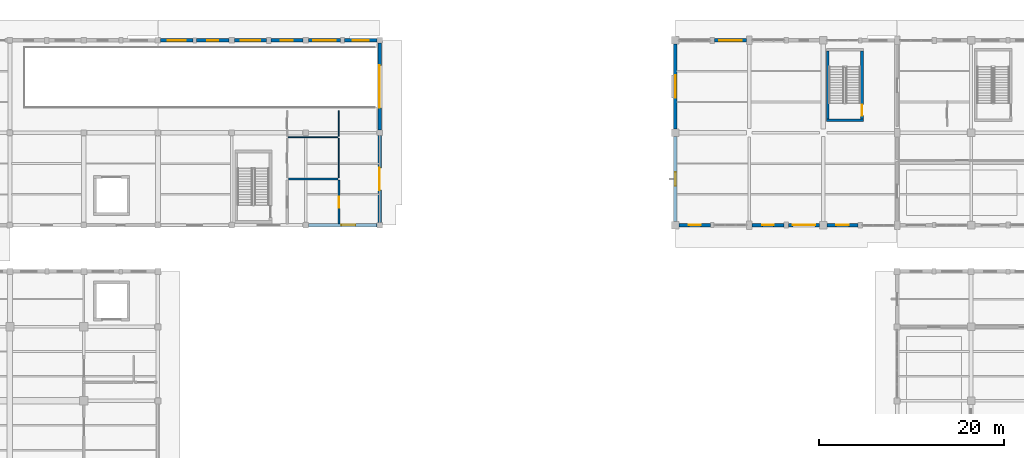
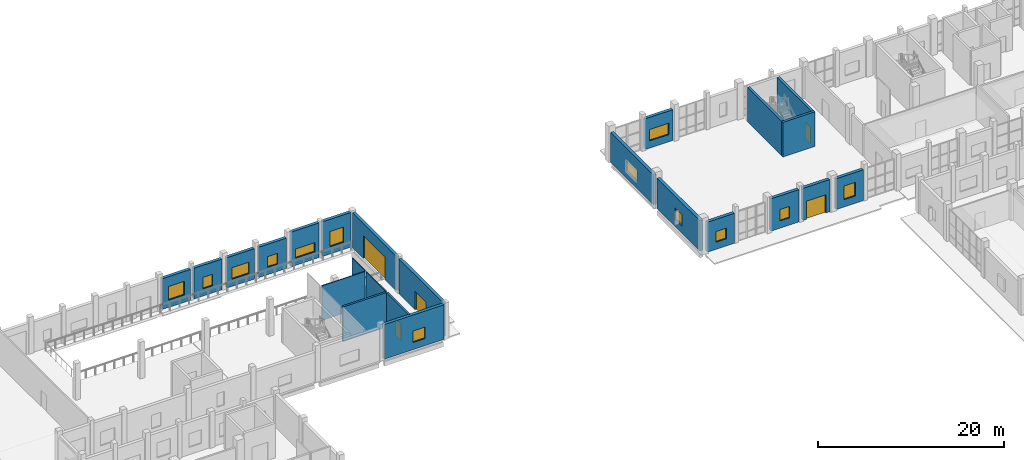
# One storey, part 126 of 156: 24 walls, 13 windows, 5 doors, 18 openings.
"""IFC4 building model written with IfcOpenShell, lengths in metres."""

from ifc_helpers import new_model, si_unit, direction, frame, frame_2d, origin, place, context, subcontext, project, spatial, rectangle, extrude, material, layer, layer_set, type_object, element, fill, save


model = new_model("IFC4")

# Units and contexts
model_context = context("Model", 3, precision=1e-05, world=origin(), true_north=direction((0.0, 1.0)))
body_context = subcontext(model_context, "Body", "Model", "MODEL_VIEW")
ifc_project = project(units=[si_unit("LENGTHUNIT", "METRE"), si_unit("AREAUNIT", "SQUARE_METRE"), si_unit("VOLUMEUNIT", "CUBIC_METRE"), si_unit("PLANEANGLEUNIT", "RADIAN"), si_unit("MASSUNIT", "GRAM", prefix="KILO")], contexts=[model_context])

# Site, building, storey
site_placement = place(None, origin())
site = spatial("IfcSite", under=ifc_project, at=site_placement, CompositionType="ELEMENT")
building_placement = place(site_placement, origin())
building = spatial("IfcBuilding", under=site, at=building_placement, Name="Luwemba Playhouse", CompositionType="ELEMENT")
storey_placement = place(building_placement, origin())
storey = spatial("IfcBuildingStorey", under=building, at=storey_placement, Name="L00", CompositionType="ELEMENT", Elevation=0.0)

# Wall, opening, window
ifc_material_1 = material(Name="Clay facing brick obra vista masonry", Category="masonry")
ifc_layer_1 = layer(ifc_material_1, 0.3798828125)
ifc_layer_set_1 = layer_set([ifc_layer_1], Name="Clay facing brick obra vista masonry")
wall_type_1 = type_object("IfcWallType", Name="WAL-BRK-380", PredefinedType="SOLIDWALL", material=ifc_layer_set_1)
wall_1_placement = place(storey_placement, frame((52.300048828125, 115.0, 0.0), z_axis=(0.0, 0.0, 1.0), x_axis=(1.0, 0.0, 0.0)))
wall_1 = element("IfcWall", 1, at=wall_1_placement, inside=storey, type_object=wall_type_1, Name="L00 V6W exterior facade wall 0094", PredefinedType="SOLIDWALL", context=body_context, shape_type="SweptSolid", body=[
    extrude(rectangle(XDim=3.5, YDim=0.3798828125, at=frame_2d((1.75, 0.0))), origin(), (0.0, 0.0, 1.0), 4.034912109375),
])
opening_1_placement = place(wall_1_placement, frame((0.75, 0.0, 0.949951171875)))
opening_1 = element("IfcOpeningElement", 2, at=opening_1_placement, cuts=wall_1, Name="Opening WN-05", PredefinedType="OPENING", context=body_context, shape_type="SweptSolid", body=[
    extrude(rectangle(XDim=2.0, YDim=1.800048828125, at=frame_2d((1.0, 0.89990234375))), frame((0.0, 0.199951171875, 0.0), z_axis=(0.0, -1.0, 0.0), x_axis=(1.0, 0.0, 0.0)), (0.0, 0.0, 1.0), 0.39990234375),
])
ifc_material_2 = material(Name="Solar-control double glazing in aluminium frame", Category="aluminium")
window_type_1 = type_object("IfcWindowType", Name="WIN-WN-05", PartitioningType="TRIPLE_PANEL_VERTICAL", PredefinedType="WINDOW", material=ifc_material_2)
window_1_placement = place(opening_1_placement, origin())
window_1 = element("IfcWindow", 3, at=window_1_placement, inside=storey, type_object=window_type_1, Name="L00 V6W scheduled window 0055", OverallHeight=1.800048828125, OverallWidth=2.0, PartitioningType="TRIPLE_PANEL_VERTICAL", PredefinedType="WINDOW", context=body_context, shape_type="SweptSolid", body=[
    extrude(rectangle(XDim=2.0, YDim=1.800048828125, at=frame_2d((1.0, 0.89990234375))), frame((0.0, 0.030029296875, 0.0), z_axis=(0.0, -1.0, 0.0), x_axis=(1.0, 0.0, 0.0)), (0.0, 0.0, 1.0), 0.06005859375),
])
fill(opening_1, window_1)

wall_2_placement = place(storey_placement, frame((56.199951171875, 115.0, 0.0), z_axis=(0.0, 0.0, 1.0), x_axis=(1.0, 0.0, 0.0)))
wall_2 = element("IfcWall", 4, at=wall_2_placement, inside=storey, type_object=wall_type_1, Name="L00 V6W exterior facade wall 0095", PredefinedType="SOLIDWALL", context=body_context, shape_type="SweptSolid", body=[
    extrude(rectangle(XDim=3.5, YDim=0.3798828125, at=frame_2d((1.75, 0.0))), origin(), (0.0, 0.0, 1.0), 4.034912109375),
])
opening_2_placement = place(wall_2_placement, frame((1.14990234375, 0.0, 0.949951171875)))
opening_2 = element("IfcOpeningElement", 5, at=opening_2_placement, cuts=wall_2, Name="Opening WN-08", PredefinedType="OPENING", context=body_context, shape_type="SweptSolid", body=[
    extrude(rectangle(XDim=1.199951171875, YDim=1.5, at=frame_2d((0.60009765625, 0.75))), frame((0.0, 0.199951171875, 0.0), z_axis=(0.0, -1.0, 0.0), x_axis=(1.0, 0.0, 0.0)), (0.0, 0.0, 1.0), 0.39990234375),
])
window_type_2 = type_object("IfcWindowType", Name="WIN-WN-08", PartitioningType="SINGLE_PANEL", PredefinedType="WINDOW", material=ifc_material_2)
window_2_placement = place(opening_2_placement, origin())
window_2 = element("IfcWindow", 6, at=window_2_placement, inside=storey, type_object=window_type_2, Name="L00 V6W scheduled window 0056", OverallHeight=1.5, OverallWidth=1.199951171875, PartitioningType="SINGLE_PANEL", PredefinedType="WINDOW", context=body_context, shape_type="SweptSolid", body=[
    extrude(rectangle(XDim=1.199951171875, YDim=1.5, at=frame_2d((0.60009765625, 0.75))), frame((0.0, 0.030029296875, 0.0), z_axis=(0.0, -1.0, 0.0), x_axis=(1.0, 0.0, 0.0)), (0.0, 0.0, 1.0), 0.06005859375),
])
fill(opening_2, window_2)

wall_3_placement = place(storey_placement, frame((60.300048828125, 115.0, 0.0), z_axis=(0.0, 0.0, 1.0), x_axis=(1.0, 0.0, 0.0)))
wall_3 = element("IfcWall", 7, at=wall_3_placement, inside=storey, type_object=wall_type_1, Name="L00 V6W exterior facade wall 0096", PredefinedType="SOLIDWALL", context=body_context, shape_type="SweptSolid", body=[
    extrude(rectangle(XDim=3.449951171875, YDim=0.3798828125, at=frame_2d((1.72509765625, 0.0))), origin(), (0.0, 0.0, 1.0), 3.985107421875),
])
opening_3_placement = place(wall_3_placement, frame((0.675048828125, 0.0, 0.949951171875)))
opening_3 = element("IfcOpeningElement", 8, at=opening_3_placement, cuts=wall_3, Name="Opening WN-11", PredefinedType="OPENING", context=body_context, shape_type="SweptSolid", body=[
    extrude(rectangle(XDim=2.10009765625, YDim=1.5, at=frame_2d((1.050048828125, 0.75))), frame((0.0, 0.199951171875, 0.0), z_axis=(0.0, -1.0, 0.0), x_axis=(1.0, 0.0, 0.0)), (0.0, 0.0, 1.0), 0.39990234375),
])
window_type_3 = type_object("IfcWindowType", Name="WIN-WN-11", PartitioningType="TRIPLE_PANEL_VERTICAL", PredefinedType="WINDOW", material=ifc_material_2)
window_3_placement = place(opening_3_placement, origin())
window_3 = element("IfcWindow", 9, at=window_3_placement, inside=storey, type_object=window_type_3, Name="L00 V6W scheduled window 0057", OverallHeight=1.5, OverallWidth=2.10009765625, PartitioningType="TRIPLE_PANEL_VERTICAL", PredefinedType="WINDOW", context=body_context, shape_type="SweptSolid", body=[
    extrude(rectangle(XDim=2.10009765625, YDim=1.5, at=frame_2d((1.050048828125, 0.75))), frame((0.0, 0.030029296875, 0.0), z_axis=(0.0, -1.0, 0.0), x_axis=(1.0, 0.0, 0.0)), (0.0, 0.0, 1.0), 0.06005859375),
])
fill(opening_3, window_3)

wall_4_placement = place(storey_placement, frame((64.25, 115.0, 0.0), z_axis=(0.0, 0.0, 1.0), x_axis=(1.0, 0.0, 0.0)))
wall_4 = element("IfcWall", 10, at=wall_4_placement, inside=storey, type_object=wall_type_1, Name="L00 V6W exterior facade wall 0097", PredefinedType="SOLIDWALL", context=body_context, shape_type="SweptSolid", body=[
    extrude(rectangle(XDim=3.449951171875, YDim=0.3798828125, at=frame_2d((1.72509765625, 0.0))), origin(), (0.0, 0.0, 1.0), 3.985107421875),
])
opening_4_placement = place(wall_4_placement, frame((1.074951171875, 0.0, 0.949951171875)))
opening_4 = element("IfcOpeningElement", 11, at=opening_4_placement, cuts=wall_4, Name="Opening WN-14", PredefinedType="OPENING", context=body_context, shape_type="SweptSolid", body=[
    extrude(rectangle(XDim=1.300048828125, YDim=1.39990234375, at=frame_2d((0.64990234375, 0.699951171875))), frame((0.0, 0.199951171875, 0.0), z_axis=(0.0, -1.0, 0.0), x_axis=(1.0, 0.0, 0.0)), (0.0, 0.0, 1.0), 0.39990234375),
])
window_type_4 = type_object("IfcWindowType", Name="WIN-WN-14", PartitioningType="SINGLE_PANEL", PredefinedType="WINDOW", material=ifc_material_2)
window_4_placement = place(opening_4_placement, origin())
window_4 = element("IfcWindow", 12, at=window_4_placement, inside=storey, type_object=window_type_4, Name="L00 V6W scheduled window 0058", OverallHeight=1.39990234375, OverallWidth=1.300048828125, PartitioningType="SINGLE_PANEL", PredefinedType="WINDOW", context=body_context, shape_type="SweptSolid", body=[
    extrude(rectangle(XDim=1.300048828125, YDim=1.39990234375, at=frame_2d((0.64990234375, 0.699951171875))), frame((0.0, 0.030029296875, 0.0), z_axis=(0.0, -1.0, 0.0), x_axis=(1.0, 0.0, 0.0)), (0.0, 0.0, 1.0), 0.06005859375),
])
fill(opening_4, window_4)

wall_5_placement = place(storey_placement, frame((68.300048828125, 115.0, 0.0), z_axis=(0.0, 0.0, 1.0), x_axis=(1.0, 0.0, 0.0)))
wall_5 = element("IfcWall", 13, at=wall_5_placement, inside=storey, type_object=wall_type_1, Name="L00 V6W exterior facade wall 0098", PredefinedType="SOLIDWALL", context=body_context, shape_type="SweptSolid", body=[
    extrude(rectangle(XDim=3.474853515625, YDim=0.3798828125, at=frame_2d((1.7373046875, 0.0))), origin(), (0.0, 0.0, 1.0), 4.550048828125),
])
opening_5_placement = place(wall_5_placement, frame((0.53759765625, 0.0, 0.949951171875)))
opening_5 = element("IfcOpeningElement", 14, at=opening_5_placement, cuts=wall_5, Name="Opening WN-17", PredefinedType="OPENING", context=body_context, shape_type="SweptSolid", body=[
    extrude(rectangle(XDim=2.39990234375, YDim=1.199951171875, at=frame_2d((1.199951171875, 0.60009765625))), frame((0.0, 0.199951171875, 0.0), z_axis=(0.0, -1.0, 0.0), x_axis=(1.0, 0.0, 0.0)), (0.0, 0.0, 1.0), 0.39990234375),
])
window_type_5 = type_object("IfcWindowType", Name="WIN-WN-17", PartitioningType="TRIPLE_PANEL_HORIZONTAL", PredefinedType="WINDOW", material=ifc_material_2)
window_5_placement = place(opening_5_placement, origin())
window_5 = element("IfcWindow", 15, at=window_5_placement, inside=storey, type_object=window_type_5, Name="L00 V6W scheduled window 0059", OverallHeight=1.199951171875, OverallWidth=2.39990234375, PartitioningType="TRIPLE_PANEL_HORIZONTAL", PredefinedType="WINDOW", context=body_context, shape_type="SweptSolid", body=[
    extrude(rectangle(XDim=2.39990234375, YDim=1.199951171875, at=frame_2d((1.199951171875, 0.60009765625))), frame((0.0, 0.030029296875, 0.0), z_axis=(0.0, -1.0, 0.0), x_axis=(1.0, 0.0, 0.0)), (0.0, 0.0, 1.0), 0.06005859375),
])
fill(opening_5, window_5)

wall_6_placement = place(storey_placement, frame((72.22509765625, 115.0, 0.0), z_axis=(0.0, 0.0, 1.0), x_axis=(1.0, 0.0, 0.0)))
wall_6 = element("IfcWall", 16, at=wall_6_placement, inside=storey, type_object=wall_type_1, Name="L00 V6W exterior facade wall 0099", PredefinedType="SOLIDWALL", context=body_context, shape_type="SweptSolid", body=[
    extrude(rectangle(XDim=3.474853515625, YDim=0.3798828125, at=frame_2d((1.7373046875, 0.0))), origin(), (0.0, 0.0, 1.0), 4.550048828125),
])
opening_6_placement = place(wall_6_placement, frame((0.887451171875, 0.0, 0.949951171875)))
opening_6 = element("IfcOpeningElement", 17, at=opening_6_placement, cuts=wall_6, Name="Opening WN-20", PredefinedType="OPENING", context=body_context, shape_type="SweptSolid", body=[
    extrude(rectangle(XDim=1.699951171875, YDim=2.0, at=frame_2d((0.85009765625, 1.0))), frame((0.0, 0.199951171875, 0.0), z_axis=(0.0, -1.0, 0.0), x_axis=(1.0, 0.0, 0.0)), (0.0, 0.0, 1.0), 0.39990234375),
])
window_type_6 = type_object("IfcWindowType", Name="WIN-WN-20", PartitioningType="DOUBLE_PANEL_VERTICAL", PredefinedType="WINDOW", material=ifc_material_2)
window_6_placement = place(opening_6_placement, origin())
window_6 = element("IfcWindow", 18, at=window_6_placement, inside=storey, type_object=window_type_6, Name="L00 V6W scheduled window 0060", OverallHeight=2.0, OverallWidth=1.699951171875, PartitioningType="DOUBLE_PANEL_VERTICAL", PredefinedType="WINDOW", context=body_context, shape_type="SweptSolid", body=[
    extrude(rectangle(XDim=1.699951171875, YDim=2.0, at=frame_2d((0.85009765625, 1.0))), frame((0.0, 0.030029296875, 0.0), z_axis=(0.0, -1.0, 0.0), x_axis=(1.0, 0.0, 0.0)), (0.0, 0.0, 1.0), 0.06005859375),
])
fill(opening_6, window_6)

# Wall, opening, door
wall_7_placement = place(storey_placement, frame((76.0, 114.699951171875, 0.0), z_axis=(0.0, 0.0, 1.0), x_axis=(0.0, -1.0, 0.0)))
wall_7 = element("IfcWall", 19, at=wall_7_placement, inside=storey, type_object=wall_type_1, Name="L00 V6W exterior facade wall 0100", PredefinedType="SOLIDWALL", context=body_context, shape_type="SweptSolid", body=[
    extrude(rectangle(XDim=9.39990234375, YDim=0.3798828125, at=frame_2d((4.699951171875, 0.0))), origin(), (0.0, 0.0, 1.0), 4.550048828125),
])
opening_7_placement = place(wall_7_placement, frame((2.39990234375, 0.0, 0.0)))
opening_7 = element("IfcOpeningElement", 20, at=opening_7_placement, cuts=wall_7, Name="Opening D-SH2", PredefinedType="OPENING", context=body_context, shape_type="SweptSolid", body=[
    extrude(rectangle(XDim=4.60009765625, YDim=3.0, at=frame_2d((2.300048828125, 1.5))), frame((0.0, 0.199951171875, 0.0), z_axis=(0.0, -1.0, 0.0), x_axis=(1.0, 0.0, 0.0)), (0.0, 0.0, 1.0), 0.39990234375),
])
ifc_material_3 = material(Name="Insulated galvanised steel shutter", Category="steel")
door_type_1 = type_object("IfcDoorType", Name="DR-RAMP-480", OperationType="NOTDEFINED", PredefinedType="DOOR", material=ifc_material_3)
door_1_placement = place(opening_7_placement, origin())
door_1 = element("IfcDoor", 21, at=door_1_placement, inside=storey, type_object=door_type_1, Name="Car park vehicle ramp roller shutter", OperationType="ROLLINGUP", OverallHeight=3.0, OverallWidth=4.60009765625, PredefinedType="DOOR", context=body_context, shape_type="SweptSolid", body=[
    extrude(rectangle(XDim=4.60009765625, YDim=3.0, at=frame_2d((2.300048828125, 1.5))), frame((0.0, 0.02490234375, 0.0), z_axis=(0.0, -1.0, 0.0), x_axis=(1.0, 0.0, 0.0)), (0.0, 0.0, 1.0), 0.050048828125),
])
fill(opening_7, door_1)

wall_8_placement = place(storey_placement, frame((76.0, 104.699951171875, 0.0), z_axis=(0.0, 0.0, 1.0), x_axis=(0.0, -1.0, 0.0)))
wall_8 = element("IfcWall", 22, at=wall_8_placement, inside=storey, type_object=wall_type_1, Name="L00 V6W exterior facade wall 0101", PredefinedType="SOLIDWALL", context=body_context, shape_type="SweptSolid", body=[
    extrude(rectangle(XDim=9.39990234375, YDim=0.3798828125, at=frame_2d((4.699951171875, 0.0))), origin(), (0.0, 0.0, 1.0), 4.550048828125),
])
opening_8_placement = place(wall_8_placement, frame((3.5, 0.0, 0.0)))
opening_8 = element("IfcOpeningElement", 23, at=opening_8_placement, cuts=wall_8, Name="Opening E14", PredefinedType="OPENING", context=body_context, shape_type="SweptSolid", body=[
    extrude(rectangle(XDim=2.39990234375, YDim=2.39990234375, at=frame_2d((1.199951171875, 1.199951171875))), frame((0.0, 0.199951171875, 0.0), z_axis=(0.0, -1.0, 0.0), x_axis=(1.0, 0.0, 0.0)), (0.0, 0.0, 1.0), 0.39990234375),
])
ifc_material_4 = material(Name="Architectural bronze-anodised aluminium and glazed leaf", Category="aluminium")
door_type_2 = type_object("IfcDoorType", Name="DR-EXIT-240", OperationType="NOTDEFINED", PredefinedType="DOOR", material=ifc_material_4)
door_2_placement = place(opening_8_placement, origin())
door_2 = element("IfcDoor", 24, at=door_2_placement, inside=storey, type_object=door_type_2, Name="Stage Door personnel final exit E14", OperationType="DOUBLE_DOOR_SINGLE_SWING", OverallHeight=2.39990234375, OverallWidth=2.39990234375, PredefinedType="DOOR", context=body_context, shape_type="SweptSolid", body=[
    extrude(rectangle(XDim=2.39990234375, YDim=2.39990234375, at=frame_2d((1.199951171875, 1.199951171875))), frame((0.0, 0.02490234375, 0.0), z_axis=(0.0, -1.0, 0.0), x_axis=(1.0, 0.0, 0.0)), (0.0, 0.0, 1.0), 0.050048828125),
])
fill(opening_8, door_2)

# Wall, opening, window
wall_9_placement = place(storey_placement, frame((75.699951171875, 95.0, 0.0), z_axis=(0.0, 0.0, 1.0), x_axis=(-1.0, 0.0, 0.0)))
wall_9 = element("IfcWall", 25, at=wall_9_placement, inside=storey, type_object=wall_type_1, Name="L00 V6W exterior facade wall 0102", PredefinedType="SOLIDWALL", context=body_context, shape_type="SweptSolid", body=[
    extrude(rectangle(XDim=7.39990234375, YDim=0.3798828125, at=frame_2d((3.699951171875, 0.0))), origin(), (0.0, 0.0, 1.0), 4.550048828125),
])
opening_9_placement = place(wall_9_placement, frame((2.324951171875, 0.0, 0.949951171875)))
opening_9 = element("IfcOpeningElement", 26, at=opening_9_placement, cuts=wall_9, Name="Opening WN-09", PredefinedType="OPENING", context=body_context, shape_type="SweptSolid", body=[
    extrude(rectangle(XDim=1.5, YDim=1.5, at=frame_2d((0.75, 0.75))), frame((0.0, 0.199951171875, 0.0), z_axis=(0.0, -1.0, 0.0), x_axis=(1.0, 0.0, 0.0)), (0.0, 0.0, 1.0), 0.39990234375),
])
window_type_7 = type_object("IfcWindowType", Name="WIN-WN-09", PartitioningType="DOUBLE_PANEL_VERTICAL", PredefinedType="WINDOW", material=ifc_material_2)
window_7_placement = place(opening_9_placement, origin())
window_7 = element("IfcWindow", 27, at=window_7_placement, inside=storey, type_object=window_type_7, Name="L00 V6W scheduled window 0061", OverallHeight=1.5, OverallWidth=1.5, PartitioningType="DOUBLE_PANEL_VERTICAL", PredefinedType="WINDOW", context=body_context, shape_type="SweptSolid", body=[
    extrude(rectangle(XDim=1.5, YDim=1.5, at=frame_2d((0.75, 0.75))), frame((0.0, 0.030029296875, 0.0), z_axis=(0.0, -1.0, 0.0), x_axis=(1.0, 0.0, 0.0)), (0.0, 0.0, 1.0), 0.06005859375),
])
fill(opening_9, window_7)

wall_10_placement = place(storey_placement, frame((108.0, 95.39990234375, 0.0), z_axis=(0.0, 0.0, 1.0), x_axis=(0.0, 1.0, 0.0)))
wall_10 = element("IfcWall", 28, at=wall_10_placement, inside=storey, type_object=wall_type_1, Name="L00 V6E exterior facade wall 0111", PredefinedType="SOLIDWALL", context=body_context, shape_type="SweptSolid", body=[
    extrude(rectangle(XDim=9.2001953125, YDim=0.3798828125, at=frame_2d((4.60009765625, 0.0))), origin(), (0.0, 0.0, 1.0), 3.985107421875),
])
opening_10_placement = place(wall_10_placement, frame((3.85009765625, 0.0, 0.949951171875)))
opening_10 = element("IfcOpeningElement", 29, at=opening_10_placement, cuts=wall_10, Name="Opening WN-09", PredefinedType="OPENING", context=body_context, shape_type="SweptSolid", body=[
    extrude(rectangle(XDim=1.5, YDim=1.5, at=frame_2d((0.75, 0.75))), frame((0.0, 0.199951171875, 0.0), z_axis=(0.0, -1.0, 0.0), x_axis=(1.0, 0.0, 0.0)), (0.0, 0.0, 1.0), 0.39990234375),
])
window_8_placement = place(opening_10_placement, origin())
window_8 = element("IfcWindow", 30, at=window_8_placement, inside=storey, type_object=window_type_7, Name="L00 V6E scheduled window 0070", OverallHeight=1.5, OverallWidth=1.5, PartitioningType="DOUBLE_PANEL_VERTICAL", PredefinedType="WINDOW", context=body_context, shape_type="SweptSolid", body=[
    extrude(rectangle(XDim=1.5, YDim=1.5, at=frame_2d((0.75, 0.75))), frame((0.0, 0.030029296875, 0.0), z_axis=(0.0, -1.0, 0.0), x_axis=(1.0, 0.0, 0.0)), (0.0, 0.0, 1.0), 0.06005859375),
])
fill(opening_10, window_8)

wall_11_placement = place(storey_placement, frame((108.0, 105.39990234375, 0.0), z_axis=(0.0, 0.0, 1.0), x_axis=(0.0, 1.0, 0.0)))
wall_11 = element("IfcWall", 31, at=wall_11_placement, inside=storey, type_object=wall_type_1, Name="L00 V6E exterior facade wall 0112", PredefinedType="SOLIDWALL", context=body_context, shape_type="SweptSolid", body=[
    extrude(rectangle(XDim=9.2001953125, YDim=0.3798828125, at=frame_2d((4.60009765625, 0.0))), origin(), (0.0, 0.0, 1.0), 3.93505859375),
])
opening_11_placement = place(wall_11_placement, frame((3.39990234375, 0.0, 0.949951171875)))
opening_11 = element("IfcOpeningElement", 32, at=opening_11_placement, cuts=wall_11, Name="Opening WN-12", PredefinedType="OPENING", context=body_context, shape_type="SweptSolid", body=[
    extrude(rectangle(XDim=2.39990234375, YDim=1.5, at=frame_2d((1.199951171875, 0.75))), frame((0.0, 0.199951171875, 0.0), z_axis=(0.0, -1.0, 0.0), x_axis=(1.0, 0.0, 0.0)), (0.0, 0.0, 1.0), 0.39990234375),
])
window_type_8 = type_object("IfcWindowType", Name="WIN-WN-12", PartitioningType="TRIPLE_PANEL_VERTICAL", PredefinedType="WINDOW", material=ifc_material_2)
window_9_placement = place(opening_11_placement, origin())
window_9 = element("IfcWindow", 33, at=window_9_placement, inside=storey, type_object=window_type_8, Name="L00 V6E scheduled window 0071", OverallHeight=1.5, OverallWidth=2.39990234375, PartitioningType="TRIPLE_PANEL_VERTICAL", PredefinedType="WINDOW", context=body_context, shape_type="SweptSolid", body=[
    extrude(rectangle(XDim=2.39990234375, YDim=1.5, at=frame_2d((1.199951171875, 0.75))), frame((0.0, 0.030029296875, 0.0), z_axis=(0.0, -1.0, 0.0), x_axis=(1.0, 0.0, 0.0)), (0.0, 0.0, 1.0), 0.06005859375),
])
fill(opening_11, window_9)

wall_12_placement = place(storey_placement, frame((112.25, 115.0, 0.0), z_axis=(0.0, 0.0, 1.0), x_axis=(1.0, 0.0, 0.0)))
wall_12 = element("IfcWall", 34, at=wall_12_placement, inside=storey, type_object=wall_type_1, Name="L00 V6E exterior facade wall 0113", PredefinedType="SOLIDWALL", context=body_context, shape_type="SweptSolid", body=[
    extrude(rectangle(XDim=3.449951171875, YDim=0.3798828125, at=frame_2d((1.72509765625, 0.0))), origin(), (0.0, 0.0, 1.0), 4.034912109375),
])
opening_12_placement = place(wall_12_placement, frame((0.52490234375, 0.0, 0.949951171875)))
opening_12 = element("IfcOpeningElement", 35, at=opening_12_placement, cuts=wall_12, Name="Opening WN-12", PredefinedType="OPENING", context=body_context, shape_type="SweptSolid", body=[
    extrude(rectangle(XDim=2.39990234375, YDim=1.5, at=frame_2d((1.199951171875, 0.75))), frame((0.0, 0.199951171875, 0.0), z_axis=(0.0, -1.0, 0.0), x_axis=(1.0, 0.0, 0.0)), (0.0, 0.0, 1.0), 0.39990234375),
])
window_10_placement = place(opening_12_placement, origin())
window_10 = element("IfcWindow", 36, at=window_10_placement, inside=storey, type_object=window_type_8, Name="L00 V6E scheduled window 0072", OverallHeight=1.5, OverallWidth=2.39990234375, PartitioningType="TRIPLE_PANEL_VERTICAL", PredefinedType="WINDOW", context=body_context, shape_type="SweptSolid", body=[
    extrude(rectangle(XDim=2.39990234375, YDim=1.5, at=frame_2d((1.199951171875, 0.75))), frame((0.0, 0.030029296875, 0.0), z_axis=(0.0, -1.0, 0.0), x_axis=(1.0, 0.0, 0.0)), (0.0, 0.0, 1.0), 0.06005859375),
])
fill(opening_12, window_10)

wall_13_placement = place(storey_placement, frame((127.77490234375, 95.0, 0.0), z_axis=(0.0, 0.0, 1.0), x_axis=(-1.0, 0.0, 0.0)))
wall_13 = element("IfcWall", 37, at=wall_13_placement, inside=storey, type_object=wall_type_1, Name="L00 V6E exterior facade wall 0130", PredefinedType="SOLIDWALL", context=body_context, shape_type="SweptSolid", body=[
    extrude(rectangle(XDim=3.375, YDim=0.3798828125, at=frame_2d((1.6875, 0.0))), origin(), (0.0, 0.0, 1.0), 4.034912109375),
])
opening_13_placement = place(wall_13_placement, frame((0.987548828125, 0.0, 0.949951171875)))
opening_13 = element("IfcOpeningElement", 38, at=opening_13_placement, cuts=wall_13, Name="Opening WN-02", PredefinedType="OPENING", context=body_context, shape_type="SweptSolid", body=[
    extrude(rectangle(XDim=1.39990234375, YDim=1.800048828125, at=frame_2d((0.699951171875, 0.89990234375))), frame((0.0, 0.199951171875, 0.0), z_axis=(0.0, -1.0, 0.0), x_axis=(1.0, 0.0, 0.0)), (0.0, 0.0, 1.0), 0.39990234375),
])
window_type_9 = type_object("IfcWindowType", Name="WIN-WN-02", PartitioningType="DOUBLE_PANEL_VERTICAL", PredefinedType="WINDOW", material=ifc_material_2)
window_11_placement = place(opening_13_placement, origin())
window_11 = element("IfcWindow", 39, at=window_11_placement, inside=storey, type_object=window_type_9, Name="L00 V6E scheduled window 0086", OverallHeight=1.800048828125, OverallWidth=1.39990234375, PartitioningType="DOUBLE_PANEL_VERTICAL", PredefinedType="WINDOW", context=body_context, shape_type="SweptSolid", body=[
    extrude(rectangle(XDim=1.39990234375, YDim=1.800048828125, at=frame_2d((0.699951171875, 0.89990234375))), frame((0.0, 0.030029296875, 0.0), z_axis=(0.0, -1.0, 0.0), x_axis=(1.0, 0.0, 0.0)), (0.0, 0.0, 1.0), 0.06005859375),
])
fill(opening_13, window_11)

# Wall, opening, door
wall_14_placement = place(storey_placement, frame((123.60009765625, 95.0, 0.0), z_axis=(0.0, 0.0, 1.0), x_axis=(-1.0, 0.0, 0.0)))
wall_14 = element("IfcWall", 40, at=wall_14_placement, inside=storey, type_object=wall_type_1, Name="L00 V6E exterior facade wall 0131", PredefinedType="SOLIDWALL", context=body_context, shape_type="SweptSolid", body=[
    extrude(rectangle(XDim=3.35009765625, YDim=0.3798828125, at=frame_2d((1.675048828125, 0.0))), origin(), (0.0, 0.0, 1.0), 4.235107421875),
])
opening_14_placement = place(wall_14_placement, frame((0.47509765625, 0.0, 0.0)))
opening_14 = element("IfcOpeningElement", 41, at=opening_14_placement, cuts=wall_14, Name="Opening E30", PredefinedType="OPENING", context=body_context, shape_type="SweptSolid", body=[
    extrude(rectangle(XDim=2.39990234375, YDim=2.39990234375, at=frame_2d((1.199951171875, 1.199951171875))), frame((0.0, 0.199951171875, 0.0), z_axis=(0.0, -1.0, 0.0), x_axis=(1.0, 0.0, 0.0)), (0.0, 0.0, 1.0), 0.39990234375),
])
door_3_placement = place(opening_14_placement, origin())
door_3 = element("IfcDoor", 42, at=door_3_placement, inside=storey, type_object=door_type_2, Name="Rehearsal Hall cloister final exit E30", OperationType="DOUBLE_DOOR_SINGLE_SWING", OverallHeight=2.39990234375, OverallWidth=2.39990234375, PredefinedType="DOOR", context=body_context, shape_type="SweptSolid", body=[
    extrude(rectangle(XDim=2.39990234375, YDim=2.39990234375, at=frame_2d((1.199951171875, 1.199951171875))), frame((0.0, 0.02490234375, 0.0), z_axis=(0.0, -1.0, 0.0), x_axis=(1.0, 0.0, 0.0)), (0.0, 0.0, 1.0), 0.050048828125),
])
fill(opening_14, door_3)

# Wall, opening, window
wall_15_placement = place(storey_placement, frame((119.75, 95.0, 0.0), z_axis=(0.0, 0.0, 1.0), x_axis=(-1.0, 0.0, 0.0)))
wall_15 = element("IfcWall", 43, at=wall_15_placement, inside=storey, type_object=wall_type_1, Name="L00 V6E exterior facade wall 0132", PredefinedType="SOLIDWALL", context=body_context, shape_type="SweptSolid", body=[
    extrude(rectangle(XDim=3.449951171875, YDim=0.3798828125, at=frame_2d((1.72509765625, 0.0))), origin(), (0.0, 0.0, 1.0), 4.235107421875),
])
opening_15_placement = place(wall_15_placement, frame((1.125, 0.0, 0.949951171875)))
opening_15 = element("IfcOpeningElement", 44, at=opening_15_placement, cuts=wall_15, Name="Opening WN-08", PredefinedType="OPENING", context=body_context, shape_type="SweptSolid", body=[
    extrude(rectangle(XDim=1.199951171875, YDim=1.5, at=frame_2d((0.60009765625, 0.75))), frame((0.0, 0.199951171875, 0.0), z_axis=(0.0, -1.0, 0.0), x_axis=(1.0, 0.0, 0.0)), (0.0, 0.0, 1.0), 0.39990234375),
])
window_12_placement = place(opening_15_placement, origin())
window_12 = element("IfcWindow", 45, at=window_12_placement, inside=storey, type_object=window_type_2, Name="L00 V6E scheduled window 0087", OverallHeight=1.5, OverallWidth=1.199951171875, PartitioningType="SINGLE_PANEL", PredefinedType="WINDOW", context=body_context, shape_type="SweptSolid", body=[
    extrude(rectangle(XDim=1.199951171875, YDim=1.5, at=frame_2d((0.60009765625, 0.75))), frame((0.0, 0.030029296875, 0.0), z_axis=(0.0, -1.0, 0.0), x_axis=(1.0, 0.0, 0.0)), (0.0, 0.0, 1.0), 0.06005859375),
])
fill(opening_15, window_12)

wall_16_placement = place(storey_placement, frame((111.800048828125, 95.0, 0.0), z_axis=(0.0, 0.0, 1.0), x_axis=(-1.0, 0.0, 0.0)))
wall_16 = element("IfcWall", 46, at=wall_16_placement, inside=storey, type_object=wall_type_1, Name="L00 V6E exterior facade wall 0133", PredefinedType="SOLIDWALL", context=body_context, shape_type="SweptSolid", body=[
    extrude(rectangle(XDim=3.400146484375, YDim=0.3798828125, at=frame_2d((1.7001953125, 0.0))), origin(), (0.0, 0.0, 1.0), 3.93505859375),
])
opening_16_placement = place(wall_16_placement, frame((1.050048828125, 0.0, 0.949951171875)))
opening_16 = element("IfcOpeningElement", 47, at=opening_16_placement, cuts=wall_16, Name="Opening WN-14", PredefinedType="OPENING", context=body_context, shape_type="SweptSolid", body=[
    extrude(rectangle(XDim=1.300048828125, YDim=1.39990234375, at=frame_2d((0.64990234375, 0.699951171875))), frame((0.0, 0.199951171875, 0.0), z_axis=(0.0, -1.0, 0.0), x_axis=(1.0, 0.0, 0.0)), (0.0, 0.0, 1.0), 0.39990234375),
])
window_13_placement = place(opening_16_placement, origin())
window_13 = element("IfcWindow", 48, at=window_13_placement, inside=storey, type_object=window_type_4, Name="L00 V6E scheduled window 0088", OverallHeight=1.39990234375, OverallWidth=1.300048828125, PartitioningType="SINGLE_PANEL", PredefinedType="WINDOW", context=body_context, shape_type="SweptSolid", body=[
    extrude(rectangle(XDim=1.300048828125, YDim=1.39990234375, at=frame_2d((0.64990234375, 0.699951171875))), frame((0.0, 0.030029296875, 0.0), z_axis=(0.0, -1.0, 0.0), x_axis=(1.0, 0.0, 0.0)), (0.0, 0.0, 1.0), 0.06005859375),
])
fill(opening_16, window_13)

# Walls
ifc_material_5 = material(Name="Concrete C40/50", Category="concrete")
ifc_layer_2 = layer(ifc_material_5, 0.300048828125)
ifc_layer_set_2 = layer_set([ifc_layer_2], Name="Concrete C40/50")
wall_type_2 = type_object("IfcWallType", Name="WAL-CORE-300", PredefinedType="SHEAR", material=ifc_layer_set_2)
wall_17_placement = place(storey_placement, frame((124.35009765625, 106.35009765625, 0.0), z_axis=(0.0, 0.0, 1.0), x_axis=(1.0, 0.0, 0.0)))
element("IfcWall", 49, at=wall_17_placement, inside=storey, type_object=wall_type_2, Name="L00 ST-16 stair core wall S", PredefinedType="SHEAR", context=body_context, shape_type="SweptSolid", body=[
    extrude(rectangle(XDim=4.0, YDim=0.300048828125, at=frame_2d((2.0, 0.0))), origin(), (0.0, 0.0, 1.0), 4.550048828125),
])
wall_18_placement = place(storey_placement, frame((124.5, 106.5, 0.0), z_axis=(0.0, 0.0, 1.0), x_axis=(0.0, 1.0, 0.0)))
element("IfcWall", 50, at=wall_18_placement, inside=storey, type_object=wall_type_2, Name="L00 ST-16 stair core wall W", PredefinedType="SHEAR", context=body_context, shape_type="SweptSolid", body=[
    extrude(rectangle(XDim=7.320068359375, YDim=0.300048828125, at=frame_2d((3.66015625, 0.0))), origin(), (0.0, 0.0, 1.0), 4.550048828125),
])

# Wall, opening, door
wall_19_placement = place(storey_placement, frame((128.199951171875, 113.820068359375, 0.0), z_axis=(0.0, 0.0, 1.0), x_axis=(0.0, -1.0, 0.0)))
wall_19 = element("IfcWall", 51, at=wall_19_placement, inside=storey, type_object=wall_type_2, Name="L00 ST-16 stair core wall E", PredefinedType="SHEAR", context=body_context, shape_type="SweptSolid", body=[
    extrude(rectangle(XDim=7.320068359375, YDim=0.300048828125, at=frame_2d((3.66015625, 0.0))), origin(), (0.0, 0.0, 1.0), 4.550048828125),
])
opening_17_placement = place(wall_19_placement, frame((5.77001953125, 0.0, 0.0)))
opening_17 = element("IfcOpeningElement", 52, at=opening_17_placement, cuts=wall_19, Name="Opening D-STAIR3", PredefinedType="OPENING", context=body_context, shape_type="SweptSolid", body=[
    extrude(rectangle(XDim=1.199951171875, YDim=2.14990234375, at=frame_2d((0.60009765625, 1.074951171875))), frame((0.0, 0.159912109375, 0.0), z_axis=(0.0, -1.0, 0.0), x_axis=(1.0, 0.0, 0.0)), (0.0, 0.0, 1.0), 0.320068359375),
])
ifc_material_6 = material(Name="Hardwood acoustic fire door leaf", Category="wood")
door_type_3 = type_object("IfcDoorType", Name="DR-STAIR-120", OperationType="NOTDEFINED", PredefinedType="DOOR", material=ifc_material_6)
door_4_placement = place(opening_17_placement, origin())
door_4 = element("IfcDoor", 53, at=door_4_placement, inside=storey, type_object=door_type_3, Name="L00 ST-16 protected stair entry door", OperationType="SINGLE_SWING_LEFT", OverallHeight=2.14990234375, OverallWidth=1.199951171875, PredefinedType="DOOR", context=body_context, shape_type="SweptSolid", body=[
    extrude(rectangle(XDim=1.199951171875, YDim=2.14990234375, at=frame_2d((0.60009765625, 1.074951171875))), frame((0.0, 0.02490234375, 0.0), z_axis=(0.0, -1.0, 0.0), x_axis=(1.0, 0.0, 0.0)), (0.0, 0.0, 1.0), 0.050048828125),
])
fill(opening_17, door_4)

ifc_layer_3 = layer(ifc_material_5, 0.25)
ifc_layer_set_3 = layer_set([ifc_layer_3], Name="Concrete C40/50")
wall_type_3 = type_object("IfcWallType", Name="WAL-FFL-250", PredefinedType="SOLIDWALL", material=ifc_layer_set_3)
wall_20_placement = place(storey_placement, frame((71.60009765625, 95.1201171875, 0.0), z_axis=(0.0, 0.0, 1.0), x_axis=(0.0, 1.0, 0.0)))
wall_20 = element("IfcWall", 54, at=wall_20_placement, inside=storey, type_object=wall_type_3, Name="L00 V6W interior partition 0115", PredefinedType="SOLIDWALL", context=body_context, shape_type="SweptSolid", body=[
    extrude(rectangle(XDim=4.759765625, YDim=0.25, at=frame_2d((2.3798828125, 0.0))), origin(), (0.0, 0.0, 1.0), 4.550048828125),
])
opening_18_placement = place(wall_20_placement, frame((1.780029296875, 0.0, 0.0)))
opening_18 = element("IfcOpeningElement", 55, at=opening_18_placement, cuts=wall_20, Name="Opening D-FD120", PredefinedType="OPENING", context=body_context, shape_type="SweptSolid", body=[
    extrude(rectangle(XDim=1.199951171875, YDim=2.199951171875, at=frame_2d((0.60009765625, 1.10009765625))), frame((0.0, 0.135009765625, 0.0), z_axis=(0.0, -1.0, 0.0), x_axis=(1.0, 0.0, 0.0)), (0.0, 0.0, 1.0), 0.27001953125),
])
ifc_material_7 = material(Name="Steel-core fire command door leaf", Category="steel")
door_type_4 = type_object("IfcDoorType", Name="DR-FCC-120", OperationType="NOTDEFINED", PredefinedType="DOOR", material=ifc_material_7)
door_5_placement = place(opening_18_placement, origin())
door_5 = element("IfcDoor", 56, at=door_5_placement, inside=storey, type_object=door_type_4, Name="L00 Fire Command Centre to Stage Door Security and Artist Reception door", OperationType="SINGLE_SWING_RIGHT", OverallHeight=2.199951171875, OverallWidth=1.199951171875, PredefinedType="DOOR", context=body_context, shape_type="SweptSolid", body=[
    extrude(rectangle(XDim=1.199951171875, YDim=2.199951171875, at=frame_2d((0.60009765625, 1.10009765625))), frame((0.0, 0.02490234375, 0.0), z_axis=(0.0, -1.0, 0.0), x_axis=(1.0, 0.0, 0.0)), (0.0, 0.0, 1.0), 0.050048828125),
])
fill(opening_18, door_5)

# Walls
wall_21_placement = place(storey_placement, frame((66.1201171875, 100.0, 0.0), z_axis=(0.0, 0.0, 1.0), x_axis=(1.0, 0.0, 0.0)))
element("IfcWall", 57, at=wall_21_placement, inside=storey, type_object=wall_type_3, Name="L00 V6W interior partition 0116", PredefinedType="SOLIDWALL", context=body_context, shape_type="SweptSolid", body=[
    extrude(rectangle(XDim=5.35986328125, YDim=0.25, at=frame_2d((2.679931640625, 0.0))), origin(), (0.0, 0.0, 1.0), 4.550048828125),
])
ifc_material_8 = material(Name="Moisture-resistant sanitary partition", Category="gypsum")
ifc_layer_4 = layer(ifc_material_8, 0.1201171875)
ifc_layer_set_4 = layer_set([ifc_layer_4], Name="Moisture-resistant sanitary partition")
wall_type_4 = type_object("IfcWallType", Name="WAL-INT-120", PredefinedType="PARTITIONING", material=ifc_layer_set_4)
wall_22_placement = place(storey_placement, frame((71.60009765625, 100.1201171875, 0.0), z_axis=(0.0, 0.0, 1.0), x_axis=(0.0, 1.0, 0.0)))
element("IfcWall", 58, at=wall_22_placement, inside=storey, type_object=wall_type_4, Name="L00 V6W interior partition 0117", PredefinedType="PARTITIONING", context=body_context, shape_type="SweptSolid", body=[
    extrude(rectangle(XDim=4.259765625, YDim=0.1201171875, at=frame_2d((2.1298828125, 0.0))), origin(), (0.0, 0.0, 1.0), 4.550048828125),
])
wall_23_placement = place(storey_placement, frame((71.60009765625, 104.6201171875, 0.0), z_axis=(0.0, 0.0, 1.0), x_axis=(0.0, 1.0, 0.0)))
element("IfcWall", 59, at=wall_23_placement, inside=storey, type_object=wall_type_4, Name="L00 V6W interior partition 0118", PredefinedType="PARTITIONING", context=body_context, shape_type="SweptSolid", body=[
    extrude(rectangle(XDim=2.759765625, YDim=0.1201171875, at=frame_2d((1.3798828125, 0.0))), origin(), (0.0, 0.0, 1.0), 4.550048828125),
])
wall_24_placement = place(storey_placement, frame((66.1201171875, 104.5, 0.0), z_axis=(0.0, 0.0, 1.0), x_axis=(1.0, 0.0, 0.0)))
element("IfcWall", 60, at=wall_24_placement, inside=storey, type_object=wall_type_4, Name="L00 V6W interior partition 0119", PredefinedType="PARTITIONING", context=body_context, shape_type="SweptSolid", body=[
    extrude(rectangle(XDim=5.35986328125, YDim=0.1201171875, at=frame_2d((2.679931640625, 0.0))), origin(), (0.0, 0.0, 1.0), 4.550048828125),
])

save(model, "model.ifc")
